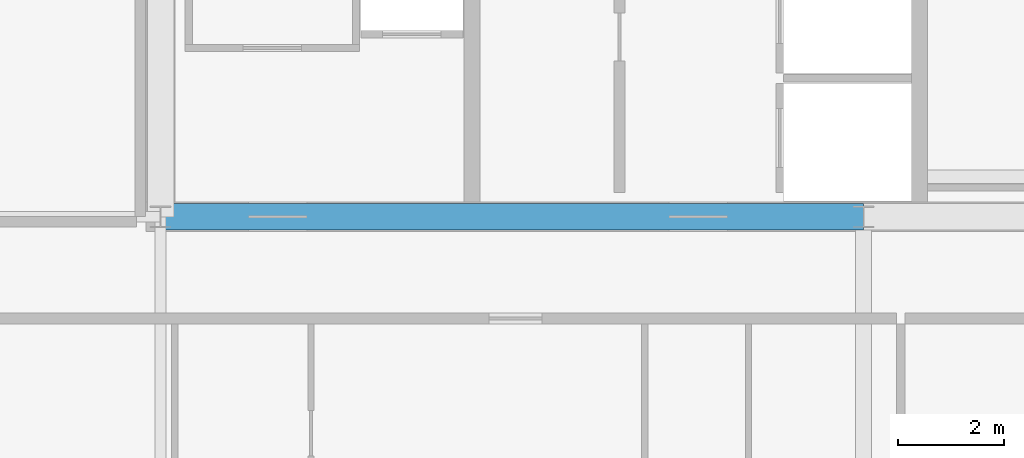
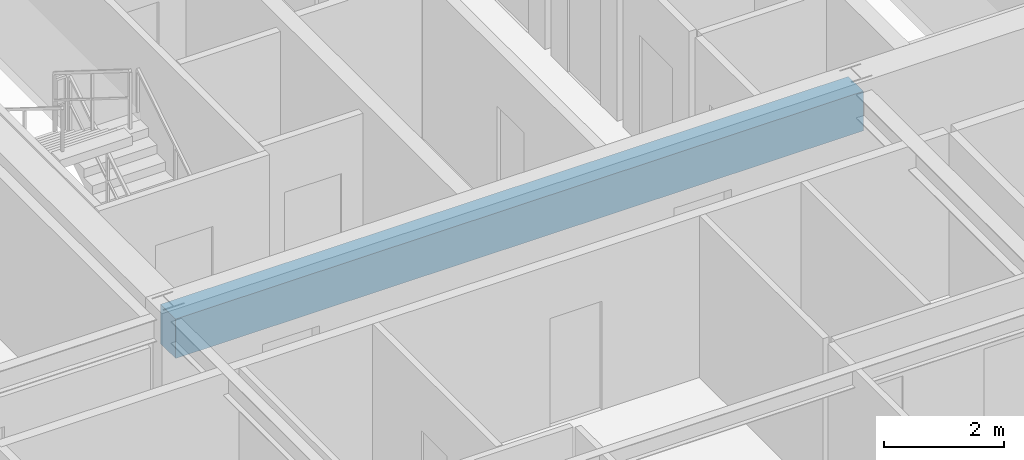
# One storey, part 8 of 36: 1 beam.
"""IFC4 building model written with IfcOpenShell, lengths in metres."""

import ifcopenshell
import ifcopenshell.guid

model = None  # the IFC model being written
_history = None  # IfcOwnerHistory: only IFC2X3 demands one
_inside = {}  # id of a spatial element -> (the spatial element, [elements in it])
_under = {}  # id of a project, library or spatial element -> (it, [spatial elements below it])
_declared = {}  # id of a project -> (the project, [libraries it declares])
_typed = {}  # id of a type object -> (the type object, [elements of that type])
_made_of = {}  # id of a material, layer set ... -> (it, [elements and type objects made of it])


def new_model(schema):
    """Start an empty IFC model of exactly this schema.

    Asked for "IFC4X3", IfcOpenShell would pick the latest addendum, in which some entities
    have other attributes; the version numbers below select the first issue.
    IFC2X3 requires an IfcOwnerHistory on every rooted entity: one is made here for all.
    """
    global model, _history
    if schema == "IFC4X3":
        model = ifcopenshell.file(schema_version=(4, 3, 0, 0))
    else:
        model = ifcopenshell.file(schema=schema)
    _inside.clear()
    _under.clear()
    _declared.clear()
    _typed.clear()
    _made_of.clear()
    _history = None
    if model.schema == "IFC2X3":
        org = make("IfcOrganization", Name="unknown")
        user = make(
            "IfcPersonAndOrganization",
            ThePerson=make("IfcPerson", FamilyName="unknown"),
            TheOrganization=org,
        )
        app = make(
            "IfcApplication",
            ApplicationDeveloper=org,
            Version="unknown",
            ApplicationFullName="unknown",
            ApplicationIdentifier="unknown",
        )
        _history = make(
            "IfcOwnerHistory",
            OwningUser=user,
            OwningApplication=app,
            ChangeAction="ADDED",
            CreationDate=0,
        )
    return model


def make(cls, **values):
    """One entity of the class cls with the attributes given. An attribute that is None is left unset."""
    return model.create_entity(
        cls, **{name: value for name, value in values.items() if value is not None}
    )


def rooted(cls, **values):
    """An entity with a GlobalId (a new one), such as an element, a storey or a relation."""
    return make(cls, GlobalId=ifcopenshell.guid.new(), OwnerHistory=_history, **values)


def si_unit(unit_type, name, prefix=None):
    """IfcSIUnit, for example si_unit("LENGTHUNIT", "METRE", prefix="MILLI")."""
    return make("IfcSIUnit", UnitType=unit_type, Prefix=prefix, Name=name)


def assignment(units):
    """IfcUnitAssignment: the units of a project."""
    return None if units is None else make("IfcUnitAssignment", Units=units)


def point(xyz):
    """IfcCartesianPoint."""
    return None if xyz is None else make("IfcCartesianPoint", Coordinates=xyz)


def direction(xyz):
    """IfcDirection."""
    return None if xyz is None else make("IfcDirection", DirectionRatios=xyz)


def frame(location, z_axis=None, x_axis=None):
    """IfcAxis2Placement3D, a coordinate frame: its origin and axes. An axis left out is left unset."""
    return make(
        "IfcAxis2Placement3D",
        Location=point(location),
        Axis=direction(z_axis),
        RefDirection=direction(x_axis),
    )


def frame_2d(location, x_axis=None):
    """IfcAxis2Placement2D, a coordinate frame in the plane: its origin and x axis."""
    return make(
        "IfcAxis2Placement2D", Location=point(location), RefDirection=direction(x_axis)
    )


def origin():
    """The frame at (0, 0, 0) with its axes left unset."""
    return frame((0.0, 0.0, 0.0))


def origin_2d():
    """The frame at (0, 0) in the plane with its x axis left unset."""
    return frame_2d((0.0, 0.0))


def place(relative_to, where):
    """IfcLocalPlacement: puts the frame where relative to a parent placement (None: the world)."""
    return make(
        "IfcLocalPlacement", PlacementRelTo=relative_to, RelativePlacement=where
    )


def context(
    kind, dimensions, precision=None, world=None, true_north=None, identifier=None
):
    """IfcGeometricRepresentationContext, for example the 3D "Model" context."""
    return make(
        "IfcGeometricRepresentationContext",
        ContextIdentifier=identifier,
        ContextType=kind,
        CoordinateSpaceDimension=dimensions,
        Precision=precision,
        WorldCoordinateSystem=world,
        TrueNorth=true_north,
    )


def subcontext(parent, identifier, kind, view, scale=None):
    """IfcGeometricRepresentationSubContext, for example "Body" below "Model"."""
    return make(
        "IfcGeometricRepresentationSubContext",
        ContextIdentifier=identifier,
        ContextType=kind,
        ParentContext=parent,
        TargetScale=scale,
        TargetView=view,
    )


def project(units=None, contexts=None):
    """IfcProject with its units and contexts."""
    return rooted(
        "IfcProject",
        Name="project",
        RepresentationContexts=contexts,
        UnitsInContext=assignment(units),
    )


def spatial(cls, under=None, at=None, **own):
    """A site, building, storey or space (cls), placed at a placement, below another one or the project."""
    s = rooted(cls, ObjectPlacement=at, **own)
    if under is not None:
        _under.setdefault(under.id(), (under, []))[1].append(s)
    return s


def profile(cls, at=None, kind="AREA", **sizes):
    """A parametric profile (cls). Its sizes go by their IFC names, for example OverallWidth=200.0."""
    return make(cls, ProfileType=kind, Position=at, **sizes)


def rectangle(**sizes):
    """IfcRectangleProfileDef."""
    return profile("IfcRectangleProfileDef", **sizes)


def extrude(swept, where, along, depth):
    """IfcExtrudedAreaSolid: the profile swept, set in the frame where, extruded along a direction by depth."""
    return make(
        "IfcExtrudedAreaSolid",
        SweptArea=swept,
        Position=where,
        ExtrudedDirection=direction(along),
        Depth=depth,
    )


def shape(context_of_items, identifier, shape_type, items):
    """IfcShapeRepresentation: the items that make up one representation, for example the "Body"."""
    return make(
        "IfcShapeRepresentation",
        ContextOfItems=context_of_items,
        RepresentationIdentifier=identifier,
        RepresentationType=shape_type,
        Items=items,
    )


def source(mapping_origin, context_of_items, identifier, shape_type, items):
    """IfcRepresentationMap: a shape defined once, which mapped items show again and again."""
    return make(
        "IfcRepresentationMap",
        MappingOrigin=mapping_origin,
        MappedRepresentation=shape(context_of_items, identifier, shape_type, items),
    )


def transform(
    local_origin,
    x_axis=None,
    y_axis=None,
    z_axis=None,
    scale=None,
    scale2=None,
    scale3=None,
    uniform=True,
):
    """IfcCartesianTransformationOperator3D, or its non-uniform kind. x_axis, y_axis, z_axis: its Axis1, 2, 3."""
    if uniform:
        return make(
            "IfcCartesianTransformationOperator3D",
            Axis1=direction(x_axis),
            Axis2=direction(y_axis),
            LocalOrigin=point(local_origin),
            Scale=scale,
            Axis3=direction(z_axis),
        )
    return make(
        "IfcCartesianTransformationOperator3DnonUniform",
        Axis1=direction(x_axis),
        Axis2=direction(y_axis),
        LocalOrigin=point(local_origin),
        Scale=scale,
        Axis3=direction(z_axis),
        Scale2=scale2,
        Scale3=scale3,
    )


def mapped(mapping_source, mapping_target):
    """IfcMappedItem: shows the shape of a source again, moved by a transform."""
    return make(
        "IfcMappedItem", MappingSource=mapping_source, MappingTarget=mapping_target
    )


def material(Name=None, Category=None):
    """IfcMaterial."""
    return make("IfcMaterial", Name=Name, Category=Category)


def material_profile(
    of_material, cross_section, Name=None, Category=None, Priority=None
):
    """IfcMaterialProfile: a cross section and its material."""
    return make(
        "IfcMaterialProfile",
        Name=Name,
        Material=of_material,
        Profile=cross_section,
        Priority=Priority,
        Category=Category,
    )


def profile_set(profiles, Name=None, composite=None):
    """IfcMaterialProfileSet."""
    return make(
        "IfcMaterialProfileSet",
        Name=Name,
        MaterialProfiles=profiles,
        CompositeProfile=composite,
    )


def made_of(thing, what):
    """Note that an element or type object is made of a material, layer set ...; save() writes the relation."""
    if what is not None:
        _made_of.setdefault(what.id(), (what, []))[1].append(thing)
    return thing


def type_object(cls, material=None, **own):
    """A type object (cls), such as IfcWallType, which elements share."""
    return made_of(rooted(cls, **own), material)


def element(
    cls,
    number,
    at=None,
    inside=None,
    cuts=None,
    type_object=None,
    material=None,
    context=None,
    identifier="Body",
    shape_type=None,
    held_by="IfcProductDefinitionShape",
    body=None,
    shapes=None,
    **own,
):
    """One element of the class cls, such as IfcWall. Its Tag is "e" and its number.

    at: its placement. inside: the storey or other place that contains it. cuts: it is an
    opening in that element (IfcRelVoidsElement). A single representation is given by context,
    identifier, shape_type and body (its items); several are given by shapes. held_by: the class
    of the entity that holds the representations. save() writes the other relations.
    """
    e = rooted(cls, Tag="e%d" % number, ObjectPlacement=at, **own)
    if body is not None:
        shapes = [shape(context, identifier, shape_type, body)]
    if shapes is not None:
        e.Representation = make(held_by, Representations=shapes)
    if inside is not None:
        _inside.setdefault(inside.id(), (inside, []))[1].append(e)
    if cuts is not None:
        rooted(
            "IfcRelVoidsElement", RelatingBuildingElement=cuts, RelatedOpeningElement=e
        )
    if type_object is not None:
        _typed.setdefault(type_object.id(), (type_object, []))[1].append(e)
    return made_of(e, material)


def aggregate(whole, parts):
    """IfcRelAggregates: a whole, such as a stair, and the parts it consists of."""
    return rooted("IfcRelAggregates", RelatingObject=whole, RelatedObjects=parts)


def save(model, path):
    """Write the relations noted so far, then the file.

    IfcRelAggregates (storeys below a building ...), IfcRelContainedInSpatialStructure (elements
    in a storey), IfcRelDefinesByType, IfcRelAssociatesMaterial and IfcRelDeclares: one each for
    every whole, place, type object, material and project.
    """
    for whole, parts in _under.values():
        aggregate(whole, parts)
    for where, things in _inside.values():
        rooted(
            "IfcRelContainedInSpatialStructure",
            RelatedElements=things,
            RelatingStructure=where,
        )
    for kind, things in _typed.values():
        rooted("IfcRelDefinesByType", RelatedObjects=things, RelatingType=kind)
    for what, things in _made_of.values():
        rooted("IfcRelAssociatesMaterial", RelatedObjects=things, RelatingMaterial=what)
    for by, libraries in _declared.values():
        rooted("IfcRelDeclares", RelatingContext=by, RelatedDefinitions=libraries)
    model.write(path)


model = new_model("IFC4")

# Units and contexts
model_context = context("Model", 3, precision=1e-05, world=origin(), true_north=direction((0.0, 1.0)))
body_context = subcontext(model_context, "Body", "Model", "MODEL_VIEW")
ifc_project = project(units=[si_unit("LENGTHUNIT", "METRE"), si_unit("AREAUNIT", "SQUARE_METRE"), si_unit("VOLUMEUNIT", "CUBIC_METRE"), si_unit("PLANEANGLEUNIT", "RADIAN"), si_unit("MASSUNIT", "GRAM", prefix="KILO"), si_unit("THERMODYNAMICTEMPERATUREUNIT", "KELVIN"), si_unit("POWERUNIT", "WATT")], contexts=[model_context])

# Site, building, storey
site_placement = place(None, origin())
site = spatial("IfcSite", under=ifc_project, at=site_placement, CompositionType="ELEMENT")
building_placement = place(site_placement, origin())
building = spatial("IfcBuilding", under=site, at=building_placement, Name="Yuzanri Waterfront Tower", CompositionType="ELEMENT")
storey_placement = place(building_placement, frame((0.0, 0.0, 224.10009765625)))
storey = spatial("IfcBuildingStorey", under=building, at=storey_placement, Name="L59", CompositionType="ELEMENT", Elevation=224.10009765625)

# Beam
ifc_material = material(Name="Concrete C50", Category="concrete")
ifc_material_profile = material_profile(ifc_material, rectangle(XDim=0.5, YDim=0.800048828125, at=origin_2d()), Name="RC 500x800")
ifc_profile_set = profile_set([ifc_material_profile], Name="Concrete C50")
beam_type = type_object("IfcBeamType", Name="Core Coupling Lintel Concrete C50 500x800", PredefinedType="LINTEL", material=ifc_profile_set)
shared_shape = source(origin(), body_context, "Body", "SweptSolid", [
    extrude(rectangle(XDim=0.5, YDim=0.800048828125, at=origin_2d()), origin(), (0.0, 0.0, 1.0), 13.199951171875),
])
beam_placement = place(storey_placement, frame((23.800048828125, 19.39990234375, 2.8798828125), z_axis=(1.0, 0.0, 0.0), x_axis=(0.0, 1.0, 0.0)))
element("IfcBeam", 1, at=beam_placement, inside=storey, type_object=beam_type, Name="L59 Core Tie Beam CS1", PredefinedType="LINTEL", context=body_context, shape_type="MappedRepresentation", body=[
    mapped(shared_shape, transform((0.0, 0.0, 0.0), scale=1.0)),
])

save(model, "model.ifc")
